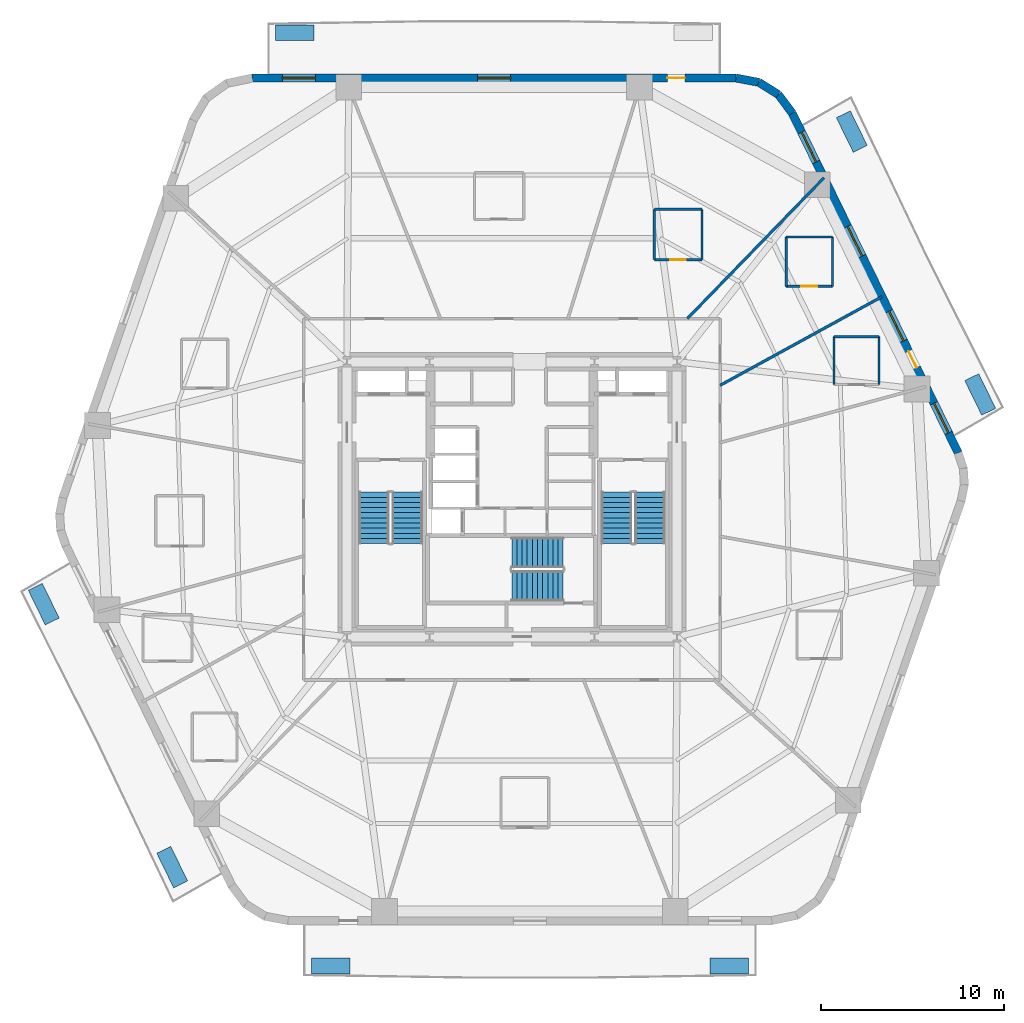
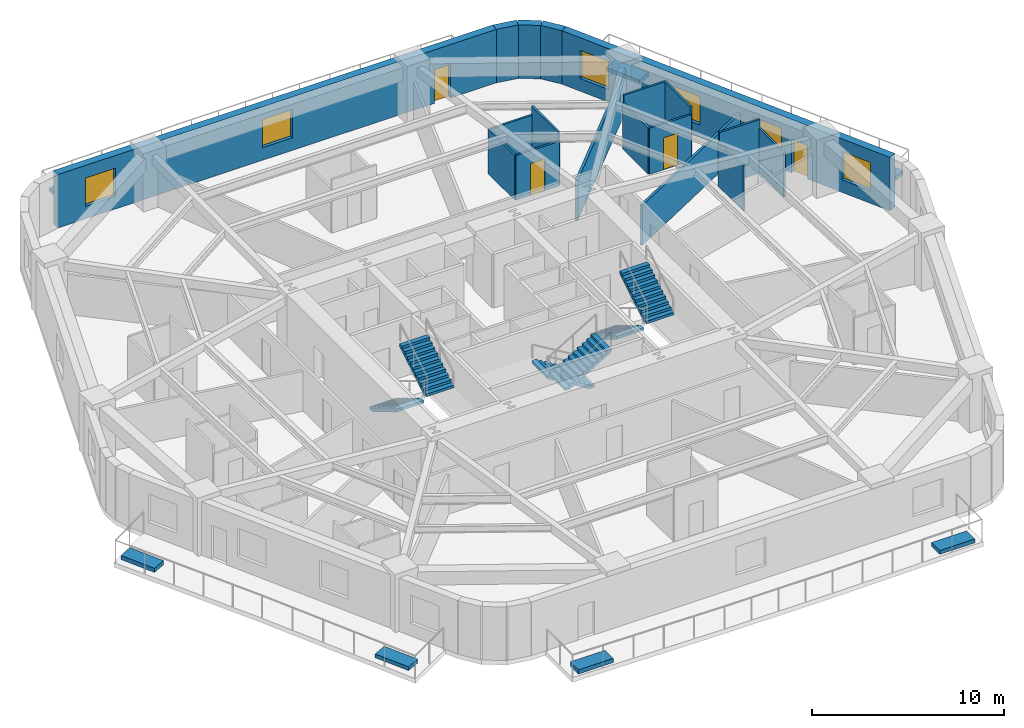
# One storey, part 6 of 10: 18 walls, 7 discrete accessories, 6 stair flights, 6 windows, 4 doors, 10 openings, 3 elements without a shape of their own.
"""IFC4 building model written with IfcOpenShell, lengths in metres."""

from ifc_helpers import new_model, si_unit, direction, frame, frame_2d, origin, origin_2d, place, context, subcontext, project, spatial, polyline, rectangle, outline, extrude, material, layer, layer_set, type_object, element, fill, aggregate, save


model = new_model("IFC4")

# Units and contexts
model_context = context("Model", 3, precision=1e-05, world=origin(), true_north=direction((0.0, 1.0)))
body_context = subcontext(model_context, "Body", "Model", "MODEL_VIEW")
ifc_project = project(units=[si_unit("LENGTHUNIT", "METRE"), si_unit("AREAUNIT", "SQUARE_METRE"), si_unit("VOLUMEUNIT", "CUBIC_METRE"), si_unit("PLANEANGLEUNIT", "RADIAN"), si_unit("MASSUNIT", "GRAM", prefix="KILO")], contexts=[model_context])

# Site, building, storey
site_placement = place(None, origin())
site = spatial("IfcSite", under=ifc_project, at=site_placement, CompositionType="ELEMENT")
building_placement = place(site_placement, origin())
building = spatial("IfcBuilding", under=site, at=building_placement, Name="Kilnhurst Terrace Hotel", CompositionType="ELEMENT")
storey_placement = place(building_placement, frame((0.0, 0.0, 56.39990234375)))
storey = spatial("IfcBuildingStorey", under=building, at=storey_placement, Name="L12", CompositionType="ELEMENT", Elevation=56.39990234375)

# Walls
ifc_material_1 = material(Name="Precast concrete C40/50", Category="concrete")
ifc_layer_1 = layer(ifc_material_1, 0.449951171875, Name="Precast concrete C40/50")
ifc_layer_set_1 = layer_set([ifc_layer_1], Name="Precast concrete C40/50")
wall_type_1 = type_object("IfcWallType", Name="WL-BRK-450", PredefinedType="SOLIDWALL", material=ifc_layer_set_1)
wall_1_placement = place(storey_placement, frame((15.28369140625, 21.0625, 0.0), z_axis=(0.0, 0.0, 1.0), x_axis=(-0.597595366449, 0.801797841104, 0.0)))
element("IfcWall", 1, at=wall_1_placement, inside=storey, type_object=wall_type_1, Name="L12 Rounded Corner Brick Wall C4.1", PredefinedType="SOLIDWALL", context=body_context, shape_type="SweptSolid", body=[
    extrude(rectangle(XDim=1.2685546875, YDim=0.449951171875, at=frame_2d((0.63427734375, 0.0))), origin(), (0.0, 0.0, 1.0), 3.400146484375),
])
wall_2_placement = place(storey_placement, frame((14.525634765625, 22.07958984375, 0.0), z_axis=(0.0, 0.0, 1.0), x_axis=(-0.848185203596, 0.529699783275, 0.0)))
element("IfcWall", 2, at=wall_2_placement, inside=storey, type_object=wall_type_1, Name="L12 Rounded Corner Brick Wall C4.2", PredefinedType="SOLIDWALL", context=body_context, shape_type="SweptSolid", body=[
    extrude(rectangle(XDim=1.247314453125, YDim=0.449951171875, at=frame_2d((0.62353515625, 0.0))), origin(), (0.0, 0.0, 1.0), 3.400146484375),
])
wall_3_placement = place(storey_placement, frame((13.4677734375, 22.740234375, 0.0), z_axis=(0.0, 0.0, 1.0), x_axis=(-0.982717174228, 0.185113358451, 0.0)))
element("IfcWall", 3, at=wall_3_placement, inside=storey, type_object=wall_type_1, Name="L12 Rounded Corner Brick Wall C4.3", PredefinedType="SOLIDWALL", context=body_context, shape_type="SweptSolid", body=[
    extrude(rectangle(XDim=1.268798828125, YDim=0.449951171875, at=frame_2d((0.63427734375, 0.0))), origin(), (0.0, 0.0, 1.0), 3.400146484375),
])

# Wall, openings, door, windows
wall_4_placement = place(storey_placement, frame((24.335693359375, 2.532470703125, 0.0), z_axis=(0.0, 0.0, 1.0), x_axis=(-0.438931326393, 0.898520612291, 0.0)))
wall_4 = element("IfcWall", 4, at=wall_4_placement, inside=storey, type_object=wall_type_1, Name="L12 Exterior Brick Facade Wall F3", PredefinedType="SOLIDWALL", context=body_context, shape_type="SweptSolid", body=[
    extrude(rectangle(XDim=20.622802734375, YDim=0.449951171875, at=frame_2d((10.3115234375, 0.0))), origin(), (0.0, 0.0, 1.0), 3.400146484375),
])
opening_1_placement = place(wall_4_placement, frame((5.1708984375, 0.0, 0.0)))
opening_1 = element("IfcOpeningElement", 5, at=opening_1_placement, cuts=wall_4, Name="Opening BD-1000", PredefinedType="OPENING", context=body_context, shape_type="SweptSolid", body=[
    extrude(rectangle(XDim=1.0, YDim=2.14990234375, at=frame_2d((0.5, 1.074951171875))), frame((0.0, 0.23486328125, 0.0), z_axis=(0.0, -1.0, 0.0), x_axis=(1.0, 0.0, 0.0)), (0.0, 0.0, 1.0), 0.469970703125),
])
opening_2_placement = place(wall_4_placement, frame((6.800048828125, 0.0, 0.800048828125)))
opening_2 = element("IfcOpeningElement", 6, at=opening_2_placement, cuts=wall_4, Name="Opening W-01", PredefinedType="OPENING", context=body_context, shape_type="SweptSolid", body=[
    extrude(rectangle(XDim=1.800048828125, YDim=1.800048828125, at=frame_2d((0.89990234375, 0.89990234375))), frame((0.0, 0.23486328125, 0.0), z_axis=(0.0, -1.0, 0.0), x_axis=(1.0, 0.0, 0.0)), (0.0, 0.0, 1.0), 0.469970703125),
])
opening_3_placement = place(wall_4_placement, frame((11.94189453125, 0.0, 0.800048828125)))
opening_3 = element("IfcOpeningElement", 7, at=opening_3_placement, cuts=wall_4, Name="Opening W-01", PredefinedType="OPENING", context=body_context, shape_type="SweptSolid", body=[
    extrude(rectangle(XDim=1.800048828125, YDim=1.800048828125, at=frame_2d((0.89990234375, 0.89990234375))), frame((0.0, 0.23486328125, 0.0), z_axis=(0.0, -1.0, 0.0), x_axis=(1.0, 0.0, 0.0)), (0.0, 0.0, 1.0), 0.469970703125),
])
opening_4_placement = place(wall_4_placement, frame((17.659912109375, 0.0, 0.800048828125)))
opening_4 = element("IfcOpeningElement", 8, at=opening_4_placement, cuts=wall_4, Name="Opening W-01", PredefinedType="OPENING", context=body_context, shape_type="SweptSolid", body=[
    extrude(rectangle(XDim=1.800048828125, YDim=1.800048828125, at=frame_2d((0.89990234375, 0.89990234375))), frame((0.0, 0.23486328125, 0.0), z_axis=(0.0, -1.0, 0.0), x_axis=(1.0, 0.0, 0.0)), (0.0, 0.0, 1.0), 0.469970703125),
])
opening_5_placement = place(wall_4_placement, frame((1.214111328125, 0.0, 0.800048828125)))
opening_5 = element("IfcOpeningElement", 9, at=opening_5_placement, cuts=wall_4, Name="Opening W-01", PredefinedType="OPENING", context=body_context, shape_type="SweptSolid", body=[
    extrude(rectangle(XDim=1.800048828125, YDim=1.800048828125, at=frame_2d((0.89990234375, 0.89990234375))), frame((0.0, 0.23486328125, 0.0), z_axis=(0.0, -1.0, 0.0), x_axis=(1.0, 0.0, 0.0)), (0.0, 0.0, 1.0), 0.469970703125),
])
ifc_material_2 = material(Name="Thermally Broken Bronze Aluminium Alloy 6063-T6 and Laminated Glass", Category="aluminium")
door_type_1 = type_object("IfcDoorType", Name="DR-EXT-BAL-1000", OperationType="NOTDEFINED", PredefinedType="DOOR", material=ifc_material_2)
door_1_placement = place(opening_1_placement, origin())
door_1 = element("IfcDoor", 10, at=door_1_placement, inside=storey, type_object=door_type_1, Name="L12 Planted Balcony Door BAL-L1A", OperationType="SINGLE_SWING_LEFT", OverallHeight=2.14990234375, OverallWidth=1.0, PredefinedType="DOOR", context=body_context, shape_type="SweptSolid", body=[
    extrude(rectangle(XDim=1.0, YDim=2.14990234375, at=frame_2d((0.5, 1.074951171875))), frame((0.0, 0.02490234375, 0.0), z_axis=(0.0, -1.0, 0.0), x_axis=(1.0, 0.0, 0.0)), (0.0, 0.0, 1.0), 0.050048828125),
])
fill(opening_1, door_1)
ifc_material_3 = material(Name="Thermally Broken Bronze Aluminium Alloy 6063-T6 and Low-E Glass", Category="aluminium")
window_type = type_object("IfcWindowType", Name="WIN-1800X1800", PartitioningType="SINGLE_PANEL", PredefinedType="WINDOW", material=ifc_material_3)
window_1_placement = place(opening_2_placement, origin())
window_1 = element("IfcWindow", 11, at=window_1_placement, inside=storey, type_object=window_type, Name="L12 Deep-Set Masonry Window F3.1", OverallHeight=1.800048828125, OverallWidth=1.800048828125, PartitioningType="SINGLE_PANEL", PredefinedType="WINDOW", context=body_context, shape_type="SweptSolid", body=[
    extrude(rectangle(XDim=1.800048828125, YDim=1.800048828125, at=frame_2d((0.89990234375, 0.89990234375))), frame((0.0, 0.030029296875, 0.0), z_axis=(0.0, -1.0, 0.0), x_axis=(1.0, 0.0, 0.0)), (0.0, 0.0, 1.0), 0.06005859375),
])
fill(opening_2, window_1)
window_2_placement = place(opening_3_placement, origin())
window_2 = element("IfcWindow", 12, at=window_2_placement, inside=storey, type_object=window_type, Name="L12 Deep-Set Masonry Window F3.2", OverallHeight=1.800048828125, OverallWidth=1.800048828125, PartitioningType="SINGLE_PANEL", PredefinedType="WINDOW", context=body_context, shape_type="SweptSolid", body=[
    extrude(rectangle(XDim=1.800048828125, YDim=1.800048828125, at=frame_2d((0.89990234375, 0.89990234375))), frame((0.0, 0.030029296875, 0.0), z_axis=(0.0, -1.0, 0.0), x_axis=(1.0, 0.0, 0.0)), (0.0, 0.0, 1.0), 0.06005859375),
])
fill(opening_3, window_2)
window_3_placement = place(opening_4_placement, origin())
window_3 = element("IfcWindow", 13, at=window_3_placement, inside=storey, type_object=window_type, Name="L12 Deep-Set Masonry Window F3.3", OverallHeight=1.800048828125, OverallWidth=1.800048828125, PartitioningType="SINGLE_PANEL", PredefinedType="WINDOW", context=body_context, shape_type="SweptSolid", body=[
    extrude(rectangle(XDim=1.800048828125, YDim=1.800048828125, at=frame_2d((0.89990234375, 0.89990234375))), frame((0.0, 0.030029296875, 0.0), z_axis=(0.0, -1.0, 0.0), x_axis=(1.0, 0.0, 0.0)), (0.0, 0.0, 1.0), 0.06005859375),
])
fill(opening_4, window_3)
window_4_placement = place(opening_5_placement, origin())
window_4 = element("IfcWindow", 14, at=window_4_placement, inside=storey, type_object=window_type, Name="L12 Deep-Set Masonry Window F3.4", OverallHeight=1.800048828125, OverallWidth=1.800048828125, PartitioningType="SINGLE_PANEL", PredefinedType="WINDOW", context=body_context, shape_type="SweptSolid", body=[
    extrude(rectangle(XDim=1.800048828125, YDim=1.800048828125, at=frame_2d((0.89990234375, 0.89990234375))), frame((0.0, 0.030029296875, 0.0), z_axis=(0.0, -1.0, 0.0), x_axis=(1.0, 0.0, 0.0)), (0.0, 0.0, 1.0), 0.06005859375),
])
fill(opening_5, window_4)

wall_5_placement = place(storey_placement, frame((12.220947265625, 22.97509765625, 0.0), z_axis=(0.0, 0.0, 1.0), x_axis=(-1.0, 0.0, 0.0)))
wall_5 = element("IfcWall", 15, at=wall_5_placement, inside=storey, type_object=wall_type_1, Name="L12 Exterior Brick Facade Wall F4", PredefinedType="SOLIDWALL", context=body_context, shape_type="SweptSolid", body=[
    extrude(rectangle(XDim=26.38916015625, YDim=0.449951171875, at=frame_2d((13.194580078125, 0.0))), origin(), (0.0, 0.0, 1.0), 3.400146484375),
])
opening_6_placement = place(wall_5_placement, frame((2.799072265625, 0.0, 0.0)))
opening_6 = element("IfcOpeningElement", 16, at=opening_6_placement, cuts=wall_5, Name="Opening BD-950", PredefinedType="OPENING", context=body_context, shape_type="SweptSolid", body=[
    extrude(rectangle(XDim=0.949951171875, YDim=2.14990234375, at=frame_2d((0.47509765625, 1.074951171875))), frame((0.0, 0.23486328125, 0.0), z_axis=(0.0, -1.0, 0.0), x_axis=(1.0, 0.0, 0.0)), (0.0, 0.0, 1.0), 0.469970703125),
])
opening_7_placement = place(wall_5_placement, frame((12.2958984375, 0.0, 0.800048828125)))
opening_7 = element("IfcOpeningElement", 17, at=opening_7_placement, cuts=wall_5, Name="Opening W-01", PredefinedType="OPENING", context=body_context, shape_type="SweptSolid", body=[
    extrude(rectangle(XDim=1.800048828125, YDim=1.800048828125, at=frame_2d((0.89990234375, 0.89990234375))), frame((0.0, 0.23486328125, 0.0), z_axis=(0.0, -1.0, 0.0), x_axis=(1.0, 0.0, 0.0)), (0.0, 0.0, 1.0), 0.469970703125),
])
opening_8_placement = place(wall_5_placement, frame((22.93798828125, 0.0, 0.800048828125)))
opening_8 = element("IfcOpeningElement", 18, at=opening_8_placement, cuts=wall_5, Name="Opening W-01", PredefinedType="OPENING", context=body_context, shape_type="SweptSolid", body=[
    extrude(rectangle(XDim=1.800048828125, YDim=1.800048828125, at=frame_2d((0.89990234375, 0.89990234375))), frame((0.0, 0.23486328125, 0.0), z_axis=(0.0, -1.0, 0.0), x_axis=(1.0, 0.0, 0.0)), (0.0, 0.0, 1.0), 0.469970703125),
])
door_type_2 = type_object("IfcDoorType", Name="DR-EXT-BAL-950", OperationType="NOTDEFINED", PredefinedType="DOOR", material=ifc_material_2)
door_2_placement = place(opening_6_placement, origin())
door_2 = element("IfcDoor", 19, at=door_2_placement, inside=storey, type_object=door_type_2, Name="L12 Planted Balcony Door BAL-L1B", OperationType="SINGLE_SWING_RIGHT", OverallHeight=2.14990234375, OverallWidth=0.949951171875, PredefinedType="DOOR", context=body_context, shape_type="SweptSolid", body=[
    extrude(rectangle(XDim=0.949951171875, YDim=2.14990234375, at=frame_2d((0.47509765625, 1.074951171875))), frame((0.0, 0.02490234375, 0.0), z_axis=(0.0, -1.0, 0.0), x_axis=(1.0, 0.0, 0.0)), (0.0, 0.0, 1.0), 0.050048828125),
])
fill(opening_6, door_2)
window_5_placement = place(opening_7_placement, origin())
window_5 = element("IfcWindow", 20, at=window_5_placement, inside=storey, type_object=window_type, Name="L12 Deep-Set Masonry Window F4.1", OverallHeight=1.800048828125, OverallWidth=1.800048828125, PartitioningType="SINGLE_PANEL", PredefinedType="WINDOW", context=body_context, shape_type="SweptSolid", body=[
    extrude(rectangle(XDim=1.800048828125, YDim=1.800048828125, at=frame_2d((0.89990234375, 0.89990234375))), frame((0.0, 0.030029296875, 0.0), z_axis=(0.0, -1.0, 0.0), x_axis=(1.0, 0.0, 0.0)), (0.0, 0.0, 1.0), 0.06005859375),
])
fill(opening_7, window_5)
window_6_placement = place(opening_8_placement, origin())
window_6 = element("IfcWindow", 21, at=window_6_placement, inside=storey, type_object=window_type, Name="L12 Deep-Set Masonry Window F4.2", OverallHeight=1.800048828125, OverallWidth=1.800048828125, PartitioningType="SINGLE_PANEL", PredefinedType="WINDOW", context=body_context, shape_type="SweptSolid", body=[
    extrude(rectangle(XDim=1.800048828125, YDim=1.800048828125, at=frame_2d((0.89990234375, 0.89990234375))), frame((0.0, 0.030029296875, 0.0), z_axis=(0.0, -1.0, 0.0), x_axis=(1.0, 0.0, 0.0)), (0.0, 0.0, 1.0), 0.06005859375),
])
fill(opening_8, window_6)

# Walls
ifc_material_4 = material(Name="STC-58 Acoustic Twin-Frame Guestroom Demising Partition")
ifc_layer_2 = layer(ifc_material_4, 0.14990234375, Name="STC-58 Acoustic Twin-Frame Guestroom Demising Partition")
ifc_layer_set_2 = layer_set([ifc_layer_2], Name="STC-58 Acoustic Twin-Frame Guestroom Demising Partition")
wall_type_2 = type_object("IfcWallType", Name="WL-DEM-150", PredefinedType="PARTITIONING", material=ifc_layer_set_2)
wall_6_placement = place(storey_placement, frame((11.35009765625, 6.216552734375, 0.0), z_axis=(0.0, 0.0, 1.0), x_axis=(0.877047587135, 0.480403507378, 0.0)))
element("IfcWall", 22, at=wall_6_placement, inside=storey, type_object=wall_type_2, Name="L12 Interior Wall WL-L12-DEM-MID01-02-1", PredefinedType="PARTITIONING", context=body_context, shape_type="SweptSolid", body=[
    extrude(rectangle(XDim=10.061767578125, YDim=0.14990234375, at=frame_2d((5.03076171875, 0.0))), origin(), (0.0, 0.0, 1.0), 2.5400390625),
])
wall_7_placement = place(storey_placement, frame((9.5576171875, 9.85009765625, 0.0), z_axis=(0.0, 0.0, 1.0), x_axis=(0.69638346089, 0.717669893056, 0.0)))
element("IfcWall", 23, at=wall_7_placement, inside=storey, type_object=wall_type_2, Name="L12 Interior Wall WL-L12-DEM-COL02-03-1", PredefinedType="PARTITIONING", context=body_context, shape_type="SweptSolid", body=[
    extrude(rectangle(XDim=10.700927734375, YDim=0.14990234375, at=frame_2d((5.3505859375, 0.0))), origin(), (0.0, 0.0, 1.0), 2.5400390625),
])
ifc_material_5 = material(Name="120 mm Moisture-Resistant Tile-Backed Bathroom Partition")
ifc_layer_3 = layer(ifc_material_5, 0.1201171875, Name="120 mm Moisture-Resistant Tile-Backed Bathroom Partition")
ifc_layer_set_3 = layer_set([ifc_layer_3], Name="120 mm Moisture-Resistant Tile-Backed Bathroom Partition")
wall_type_3 = type_object("IfcWallType", Name="WL-PART-120", PredefinedType="PARTITIONING", material=ifc_layer_set_3)
wall_8_placement = place(storey_placement, frame((20.007080078125, 6.258056640625, 0.0), z_axis=(0.0, 0.0, 1.0), x_axis=(0.0, 1.0, 0.0)))
element("IfcWall", 24, at=wall_8_placement, inside=storey, type_object=wall_type_3, Name="L12 Interior Wall WL-L12-BTH-01-2", PredefinedType="PARTITIONING", context=body_context, shape_type="SweptSolid", body=[
    extrude(rectangle(XDim=2.60986328125, YDim=0.1201171875, at=frame_2d((1.304931640625, 0.0))), origin(), (0.0, 0.0, 1.0), 2.840087890625),
])
wall_9_placement = place(storey_placement, frame((20.007080078125, 8.867919921875, 0.0), z_axis=(0.0, 0.0, 1.0), x_axis=(-1.0, 0.0, 0.0)))
element("IfcWall", 25, at=wall_9_placement, inside=storey, type_object=wall_type_3, Name="L12 Interior Wall WL-L12-BTH-01-3", PredefinedType="PARTITIONING", context=body_context, shape_type="SweptSolid", body=[
    extrude(rectangle(XDim=2.440185546875, YDim=0.1201171875, at=frame_2d((1.22021484375, 0.0))), origin(), (0.0, 0.0, 1.0), 3.400146484375),
])
wall_10_placement = place(storey_placement, frame((17.56689453125, 8.867919921875, 0.0), z_axis=(0.0, 0.0, 1.0), x_axis=(0.0, -1.0, 0.0)))
element("IfcWall", 26, at=wall_10_placement, inside=storey, type_object=wall_type_3, Name="L12 Interior Wall WL-L12-BTH-01-4", PredefinedType="PARTITIONING", context=body_context, shape_type="SweptSolid", body=[
    extrude(rectangle(XDim=2.60986328125, YDim=0.1201171875, at=frame_2d((1.304931640625, 0.0))), origin(), (0.0, 0.0, 1.0), 2.840087890625),
])

# Wall, opening, door
wall_11_placement = place(storey_placement, frame((14.951904296875, 11.617919921875, 0.0), z_axis=(0.0, 0.0, 1.0), x_axis=(1.0, 0.0, 0.0)))
wall_11 = element("IfcWall", 27, at=wall_11_placement, inside=storey, type_object=wall_type_3, Name="L12 Interior Wall WL-L12-BTH-02-1", PredefinedType="PARTITIONING", context=body_context, shape_type="SweptSolid", body=[
    extrude(rectangle(XDim=2.52001953125, YDim=0.1201171875, at=frame_2d((1.260009765625, 0.0))), origin(), (0.0, 0.0, 1.0), 2.926513671875),
])
opening_9_placement = place(wall_11_placement, frame((0.8349609375, 0.0, 0.0)))
opening_9 = element("IfcOpeningElement", 28, at=opening_9_placement, cuts=wall_11, Name="Opening D-08A", PredefinedType="OPENING", context=body_context, shape_type="SweptSolid", body=[
    extrude(rectangle(XDim=0.85009765625, YDim=2.030029296875, at=frame_2d((0.425048828125, 1.01513671875))), frame((0.0, 0.070068359375, 0.0), z_axis=(0.0, -1.0, 0.0), x_axis=(1.0, 0.0, 0.0)), (0.0, 0.0, 1.0), 0.14013671875),
])
ifc_material_6 = material(Name="Moisture-Resistant Lacquered En-suite Bathroom Door")
door_type_3 = type_object("IfcDoorType", Name="DR-INT-850", OperationType="NOTDEFINED", PredefinedType="DOOR", material=ifc_material_6)
door_3_placement = place(opening_9_placement, origin())
door_3 = element("IfcDoor", 29, at=door_3_placement, inside=storey, type_object=door_type_3, Name="L12 En-suite Bathroom Door 2", OperationType="SINGLE_SWING_LEFT", OverallHeight=2.030029296875, OverallWidth=0.85009765625, PredefinedType="DOOR", context=body_context, shape_type="SweptSolid", body=[
    extrude(rectangle(XDim=0.85009765625, YDim=2.030029296875, at=frame_2d((0.425048828125, 1.01513671875))), frame((0.0, 0.02490234375, 0.0), z_axis=(0.0, -1.0, 0.0), x_axis=(1.0, 0.0, 0.0)), (0.0, 0.0, 1.0), 0.050048828125),
])
fill(opening_9, door_3)

# Walls
wall_12_placement = place(storey_placement, frame((17.471923828125, 11.617919921875, 0.0), z_axis=(0.0, 0.0, 1.0), x_axis=(0.0, 1.0, 0.0)))
element("IfcWall", 30, at=wall_12_placement, inside=storey, type_object=wall_type_3, Name="L12 Interior Wall WL-L12-BTH-02-2", PredefinedType="PARTITIONING", context=body_context, shape_type="SweptSolid", body=[
    extrude(rectangle(XDim=2.68017578125, YDim=0.1201171875, at=frame_2d((1.340087890625, 0.0))), origin(), (0.0, 0.0, 1.0), 3.400146484375),
])
wall_13_placement = place(storey_placement, frame((17.471923828125, 14.298095703125, 0.0), z_axis=(0.0, 0.0, 1.0), x_axis=(-1.0, 0.0, 0.0)))
element("IfcWall", 31, at=wall_13_placement, inside=storey, type_object=wall_type_3, Name="L12 Interior Wall WL-L12-BTH-02-3", PredefinedType="PARTITIONING", context=body_context, shape_type="SweptSolid", body=[
    extrude(rectangle(XDim=2.52001953125, YDim=0.1201171875, at=frame_2d((1.260009765625, 0.0))), origin(), (0.0, 0.0, 1.0), 3.400146484375),
])
wall_14_placement = place(storey_placement, frame((14.951904296875, 14.298095703125, 0.0), z_axis=(0.0, 0.0, 1.0), x_axis=(0.0, -1.0, 0.0)))
element("IfcWall", 32, at=wall_14_placement, inside=storey, type_object=wall_type_3, Name="L12 Interior Wall WL-L12-BTH-02-4", PredefinedType="PARTITIONING", context=body_context, shape_type="SweptSolid", body=[
    extrude(rectangle(XDim=2.68017578125, YDim=0.1201171875, at=frame_2d((1.340087890625, 0.0))), origin(), (0.0, 0.0, 1.0), 2.926513671875),
])

# Wall, opening, door
wall_15_placement = place(storey_placement, frame((7.758056640625, 13.06591796875, 0.0), z_axis=(0.0, 0.0, 1.0), x_axis=(1.0, 0.0, 0.0)))
wall_15 = element("IfcWall", 33, at=wall_15_placement, inside=storey, type_object=wall_type_3, Name="L12 Interior Wall WL-L12-BTH-03-1", PredefinedType="PARTITIONING", context=body_context, shape_type="SweptSolid", body=[
    extrude(rectangle(XDim=2.599853515625, YDim=0.1201171875, at=frame_2d((1.2998046875, 0.0))), origin(), (0.0, 0.0, 1.0), 2.840087890625),
])
opening_10_placement = place(wall_15_placement, frame((0.875, 0.0, 0.0)))
opening_10 = element("IfcOpeningElement", 34, at=opening_10_placement, cuts=wall_15, Name="Opening D-08A", PredefinedType="OPENING", context=body_context, shape_type="SweptSolid", body=[
    extrude(rectangle(XDim=0.85009765625, YDim=2.030029296875, at=frame_2d((0.425048828125, 1.01513671875))), frame((0.0, 0.070068359375, 0.0), z_axis=(0.0, -1.0, 0.0), x_axis=(1.0, 0.0, 0.0)), (0.0, 0.0, 1.0), 0.14013671875),
])
door_4_placement = place(opening_10_placement, origin())
door_4 = element("IfcDoor", 35, at=door_4_placement, inside=storey, type_object=door_type_3, Name="L12 En-suite Bathroom Door 3", OperationType="SINGLE_SWING_RIGHT", OverallHeight=2.030029296875, OverallWidth=0.85009765625, PredefinedType="DOOR", context=body_context, shape_type="SweptSolid", body=[
    extrude(rectangle(XDim=0.85009765625, YDim=2.030029296875, at=frame_2d((0.425048828125, 1.01513671875))), frame((0.0, 0.02490234375, 0.0), z_axis=(0.0, -1.0, 0.0), x_axis=(1.0, 0.0, 0.0)), (0.0, 0.0, 1.0), 0.050048828125),
])
fill(opening_10, door_4)

# Walls
wall_16_placement = place(storey_placement, frame((10.35791015625, 13.06591796875, 0.0), z_axis=(0.0, 0.0, 1.0), x_axis=(0.0, 1.0, 0.0)))
element("IfcWall", 36, at=wall_16_placement, inside=storey, type_object=wall_type_3, Name="L12 Interior Wall WL-L12-BTH-03-2", PredefinedType="PARTITIONING", context=body_context, shape_type="SweptSolid", body=[
    extrude(rectangle(XDim=2.75, YDim=0.1201171875, at=frame_2d((1.375, 0.0))), origin(), (0.0, 0.0, 1.0), 3.400146484375),
])
wall_17_placement = place(storey_placement, frame((10.35791015625, 15.81591796875, 0.0), z_axis=(0.0, 0.0, 1.0), x_axis=(-1.0, 0.0, 0.0)))
element("IfcWall", 37, at=wall_17_placement, inside=storey, type_object=wall_type_3, Name="L12 Interior Wall WL-L12-BTH-03-3", PredefinedType="PARTITIONING", context=body_context, shape_type="SweptSolid", body=[
    extrude(rectangle(XDim=2.599853515625, YDim=0.1201171875, at=frame_2d((1.2998046875, 0.0))), origin(), (0.0, 0.0, 1.0), 2.840087890625),
])
wall_18_placement = place(storey_placement, frame((7.758056640625, 15.81591796875, 0.0), z_axis=(0.0, 0.0, 1.0), x_axis=(0.0, -1.0, 0.0)))
element("IfcWall", 38, at=wall_18_placement, inside=storey, type_object=wall_type_3, Name="L12 Interior Wall WL-L12-BTH-03-4", PredefinedType="PARTITIONING", context=body_context, shape_type="SweptSolid", body=[
    extrude(rectangle(XDim=2.75, YDim=0.1201171875, at=frame_2d((1.375, 0.0))), origin(), (0.0, 0.0, 1.0), 2.840087890625),
])

# Stair, stair flights
ifc_material_7 = material(Name="Concrete C50/60", Category="concrete")
stair_type = type_object("IfcStairType", Name="STR-CORE-1660", PredefinedType="HALF_TURN_STAIR", material=ifc_material_7)
stair_1_placement = place(storey_placement, origin())
stair_1 = element("IfcStair", 39, at=stair_1_placement, inside=storey, type_object=stair_type, Name="L12 ST-1", PredefinedType="HALF_TURN_STAIR")
stair_flight_type = type_object("IfcStairFlightType", Name="FLT-RC-1660", PredefinedType="STRAIGHT", material=ifc_material_7)
stair_flight_1_placement = place(storey_placement, frame((-7.52001953125, 0.389892578125, 0.0), z_axis=(0.0, 0.0, 1.0), x_axis=(0.0, -1.0, 0.0)))
stair_flight_1 = element("IfcStairFlight", 40, at=stair_flight_1_placement, type_object=stair_flight_type, Name="ST-1 flight 1", NumberOfRisers=11, NumberOfTreads=10, PredefinedType="STRAIGHT", RiserHeight=0.168181818, TreadLength=0.28, context=body_context, shape_type="SweptSolid", body=[
    extrude(outline(polyline([(0.0, 0.0), (0.0, 0.168212890625), (0.280029296875, 0.168212890625), (0.280029296875, 0.33642578125), (0.56005859375, 0.33642578125), (0.56005859375, 0.504638671875), (0.840087890625, 0.504638671875), (0.840087890625, 0.672607421875), (1.1201171875, 0.672607421875), (1.1201171875, 0.8408203125), (1.39990234375, 0.8408203125), (1.39990234375, 1.009033203125), (1.679931640625, 1.009033203125), (1.679931640625, 1.17724609375), (1.9599609375, 1.17724609375), (1.9599609375, 1.345458984375), (2.239990234375, 1.345458984375), (2.239990234375, 1.513671875), (2.52001953125, 1.513671875), (2.52001953125, 1.681884765625), (2.800048828125, 1.681884765625), (2.800048828125, 1.85009765625), (2.800048828125, 1.5068359375), (0.291015625, 0.0), (0.0, 0.0)])), frame((0.0, 0.830078125, 0.0), z_axis=(0.0, -1.0, 0.0), x_axis=(1.0, 0.0, 0.0)), (0.0, 0.0, 1.0), 1.659912109375),
])
stair_flight_2_placement = place(storey_placement, frame((-5.7099609375, -2.409912109375, 1.85009765625), z_axis=(0.0, 0.0, 1.0), x_axis=(0.0, 1.0, 0.0)))
stair_flight_2 = element("IfcStairFlight", 41, at=stair_flight_2_placement, type_object=stair_flight_type, Name="ST-1 flight 2", NumberOfRisers=11, NumberOfTreads=10, PredefinedType="STRAIGHT", RiserHeight=0.168181818, TreadLength=0.28, context=body_context, shape_type="SweptSolid", body=[
    extrude(outline(polyline([(0.0, 0.0), (0.0, 0.168212890625), (0.280029296875, 0.168212890625), (0.280029296875, 0.33642578125), (0.56005859375, 0.33642578125), (0.56005859375, 0.504638671875), (0.840087890625, 0.504638671875), (0.840087890625, 0.672607421875), (1.1201171875, 0.672607421875), (1.1201171875, 0.8408203125), (1.39990234375, 0.8408203125), (1.39990234375, 1.009033203125), (1.679931640625, 1.009033203125), (1.679931640625, 1.17724609375), (1.9599609375, 1.17724609375), (1.9599609375, 1.345458984375), (2.239990234375, 1.345458984375), (2.239990234375, 1.513671875), (2.52001953125, 1.513671875), (2.52001953125, 1.681884765625), (2.800048828125, 1.681884765625), (2.800048828125, 1.85009765625), (2.800048828125, 1.5068359375), (0.291015625, 0.0), (0.0, 0.0)])), frame((0.0, 0.830078125, 0.0), z_axis=(0.0, -1.0, 0.0), x_axis=(1.0, 0.0, 0.0)), (0.0, 0.0, 1.0), 1.659912109375),
])
aggregate(stair_1, [stair_flight_1, stair_flight_2])

stair_2_placement = place(storey_placement, origin())
stair_2 = element("IfcStair", 42, at=stair_2_placement, inside=storey, type_object=stair_type, Name="L12 ST-2", PredefinedType="HALF_TURN_STAIR")
stair_flight_3_placement = place(storey_placement, frame((5.7099609375, 0.389892578125, 0.0), z_axis=(0.0, 0.0, 1.0), x_axis=(0.0, -1.0, 0.0)))
stair_flight_3 = element("IfcStairFlight", 43, at=stair_flight_3_placement, type_object=stair_flight_type, Name="ST-2 flight 1", NumberOfRisers=11, NumberOfTreads=10, PredefinedType="STRAIGHT", RiserHeight=0.168181818, TreadLength=0.28, context=body_context, shape_type="SweptSolid", body=[
    extrude(outline(polyline([(0.0, 0.0), (0.0, 0.168212890625), (0.280029296875, 0.168212890625), (0.280029296875, 0.33642578125), (0.56005859375, 0.33642578125), (0.56005859375, 0.504638671875), (0.840087890625, 0.504638671875), (0.840087890625, 0.672607421875), (1.1201171875, 0.672607421875), (1.1201171875, 0.8408203125), (1.39990234375, 0.8408203125), (1.39990234375, 1.009033203125), (1.679931640625, 1.009033203125), (1.679931640625, 1.17724609375), (1.9599609375, 1.17724609375), (1.9599609375, 1.345458984375), (2.239990234375, 1.345458984375), (2.239990234375, 1.513671875), (2.52001953125, 1.513671875), (2.52001953125, 1.681884765625), (2.800048828125, 1.681884765625), (2.800048828125, 1.85009765625), (2.800048828125, 1.5068359375), (0.291015625, 0.0), (0.0, 0.0)])), frame((0.0, 0.830078125, 0.0), z_axis=(0.0, -1.0, 0.0), x_axis=(1.0, 0.0, 0.0)), (0.0, 0.0, 1.0), 1.659912109375),
])
stair_flight_4_placement = place(storey_placement, frame((7.52001953125, -2.409912109375, 1.85009765625), z_axis=(0.0, 0.0, 1.0), x_axis=(0.0, 1.0, 0.0)))
stair_flight_4 = element("IfcStairFlight", 44, at=stair_flight_4_placement, type_object=stair_flight_type, Name="ST-2 flight 2", NumberOfRisers=11, NumberOfTreads=10, PredefinedType="STRAIGHT", RiserHeight=0.168181818, TreadLength=0.28, context=body_context, shape_type="SweptSolid", body=[
    extrude(outline(polyline([(0.0, 0.0), (0.0, 0.168212890625), (0.280029296875, 0.168212890625), (0.280029296875, 0.33642578125), (0.56005859375, 0.33642578125), (0.56005859375, 0.504638671875), (0.840087890625, 0.504638671875), (0.840087890625, 0.672607421875), (1.1201171875, 0.672607421875), (1.1201171875, 0.8408203125), (1.39990234375, 0.8408203125), (1.39990234375, 1.009033203125), (1.679931640625, 1.009033203125), (1.679931640625, 1.17724609375), (1.9599609375, 1.17724609375), (1.9599609375, 1.345458984375), (2.239990234375, 1.345458984375), (2.239990234375, 1.513671875), (2.52001953125, 1.513671875), (2.52001953125, 1.681884765625), (2.800048828125, 1.681884765625), (2.800048828125, 1.85009765625), (2.800048828125, 1.5068359375), (0.291015625, 0.0), (0.0, 0.0)])), frame((0.0, 0.830078125, 0.0), z_axis=(0.0, -1.0, 0.0), x_axis=(1.0, 0.0, 0.0)), (0.0, 0.0, 1.0), 1.659912109375),
])
aggregate(stair_2, [stair_flight_3, stair_flight_4])

stair_3_placement = place(storey_placement, origin())
stair_3 = element("IfcStair", 45, at=stair_3_placement, inside=storey, type_object=stair_type, Name="L12 ST-3", PredefinedType="HALF_TURN_STAIR")
stair_flight_5_placement = place(storey_placement, frame((2.7900390625, -2.909912109375, 0.0), z_axis=(0.0, 0.0, 1.0), x_axis=(-1.0, 0.0, 0.0)))
stair_flight_5 = element("IfcStairFlight", 46, at=stair_flight_5_placement, type_object=stair_flight_type, Name="ST-3 flight 1", NumberOfRisers=11, NumberOfTreads=10, PredefinedType="STRAIGHT", RiserHeight=0.168181818, TreadLength=0.28, context=body_context, shape_type="SweptSolid", body=[
    extrude(outline(polyline([(0.0, 0.0), (0.0, 0.168212890625), (0.280029296875, 0.168212890625), (0.280029296875, 0.33642578125), (0.56005859375, 0.33642578125), (0.56005859375, 0.504638671875), (0.840087890625, 0.504638671875), (0.840087890625, 0.672607421875), (1.1201171875, 0.672607421875), (1.1201171875, 0.8408203125), (1.39990234375, 0.8408203125), (1.39990234375, 1.009033203125), (1.679931640625, 1.009033203125), (1.679931640625, 1.17724609375), (1.9599609375, 1.17724609375), (1.9599609375, 1.345458984375), (2.239990234375, 1.345458984375), (2.239990234375, 1.513671875), (2.52001953125, 1.513671875), (2.52001953125, 1.681884765625), (2.800048828125, 1.681884765625), (2.800048828125, 1.85009765625), (2.800048828125, 1.5068359375), (0.291015625, 0.0), (0.0, 0.0)])), frame((0.0, 0.830078125, 0.0), z_axis=(0.0, -1.0, 0.0), x_axis=(1.0, 0.0, 0.0)), (0.0, 0.0, 1.0), 1.659912109375),
])
stair_flight_6_placement = place(storey_placement, frame((-0.010009765625, -4.719970703125, 1.85009765625), z_axis=(0.0, 0.0, 1.0), x_axis=(1.0, 0.0, 0.0)))
stair_flight_6 = element("IfcStairFlight", 47, at=stair_flight_6_placement, type_object=stair_flight_type, Name="ST-3 flight 2", NumberOfRisers=11, NumberOfTreads=10, PredefinedType="STRAIGHT", RiserHeight=0.168181818, TreadLength=0.28, context=body_context, shape_type="SweptSolid", body=[
    extrude(outline(polyline([(0.0, 0.0), (0.0, 0.168212890625), (0.280029296875, 0.168212890625), (0.280029296875, 0.33642578125), (0.56005859375, 0.33642578125), (0.56005859375, 0.504638671875), (0.840087890625, 0.504638671875), (0.840087890625, 0.672607421875), (1.1201171875, 0.672607421875), (1.1201171875, 0.8408203125), (1.39990234375, 0.8408203125), (1.39990234375, 1.009033203125), (1.679931640625, 1.009033203125), (1.679931640625, 1.17724609375), (1.9599609375, 1.17724609375), (1.9599609375, 1.345458984375), (2.239990234375, 1.345458984375), (2.239990234375, 1.513671875), (2.52001953125, 1.513671875), (2.52001953125, 1.681884765625), (2.800048828125, 1.681884765625), (2.800048828125, 1.85009765625), (2.800048828125, 1.5068359375), (0.291015625, 0.0), (0.0, 0.0)])), frame((0.0, 0.830078125, 0.0), z_axis=(0.0, -1.0, 0.0), x_axis=(1.0, 0.0, 0.0)), (0.0, 0.0, 1.0), 1.659912109375),
])
aggregate(stair_3, [stair_flight_5, stair_flight_6])

# Discrete accessories
ifc_material_8 = material(Name="Precast Concrete C40/50 Shrub Planter", Category="concrete")
discrete_accessory_type_1 = type_object("IfcDiscreteAccessoryType", Name="PLN-SHRUB-240", PredefinedType="USERDEFINED", material=ifc_material_8)
for number, where, z_axis, x_axis, name in (
    (48, (18.52978515625, 20.05615234375, 0.0), (0.0, 0.0, 1.0), (-0.438935789176, 0.898518432188, 0.0), "L12 Structural Tree Planter Box PLANTER BAL-L1A.2"),
    (49, (-11.841552734375, 25.449951171875, 0.0), (0.0, 0.0, 1.0), (-1.0, 0.0, 0.0), "L12 Structural Tree Planter Box PLANTER BAL-L1B.2"),
    (50, (-18.52978515625, -20.05615234375, 0.0), (0.0, 0.0, 1.0), (0.438935789176, -0.898518432188, 0.0), "L12 Structural Tree Planter Box PLANTER BAL-L2A.2"),
    (51, (11.841552734375, -25.449951171875, 0.0), (0.0, 0.0, 1.0), (1.0, 0.0, 0.0), "L12 Structural Tree Planter Box PLANTER BAL-L2B.2"),
):
    element("IfcDiscreteAccessory", number, at=place(storey_placement, frame(where, z_axis=z_axis, x_axis=x_axis)), inside=storey, type_object=discrete_accessory_type_1, Name=name, ObjectType="PLANTER", PredefinedType="USERDEFINED", context=body_context, shape_type="SweptSolid", body=[
        extrude(rectangle(XDim=2.10009765625, YDim=0.85009765625, at=origin_2d()), origin(), (0.0, 0.0, 1.0), 0.239990234375),
    ])
ifc_material_9 = material(Name="Precast Concrete C40/50 Tree Planter", Category="concrete")
discrete_accessory_type_2 = type_object("IfcDiscreteAccessoryType", Name="PLN-TREE-260", PredefinedType="USERDEFINED", material=ifc_material_9)
for number, where, z_axis, x_axis, name in (
    (52, (25.534423828125, 5.717041015625, 0.0), (0.0, 0.0, 1.0), (-0.438935789176, 0.898518432188, 0.0), "L12 Structural Tree Planter Box PLANTER BAL-L1A.1"),
    (53, (-25.534423828125, -5.717041015625, 0.0), (0.0, 0.0, 1.0), (0.438935789176, -0.898518432188, 0.0), "L12 Structural Tree Planter Box PLANTER BAL-L2A.1"),
    (54, (-9.89208984375, -25.449951171875, 0.0), (0.0, 0.0, 1.0), (1.0, 0.0, 0.0), "L12 Structural Tree Planter Box PLANTER BAL-L2B.1"),
):
    element("IfcDiscreteAccessory", number, at=place(storey_placement, frame(where, z_axis=z_axis, x_axis=x_axis)), inside=storey, type_object=discrete_accessory_type_2, Name=name, ObjectType="PLANTER", PredefinedType="USERDEFINED", context=body_context, shape_type="SweptSolid", body=[
        extrude(rectangle(XDim=2.10009765625, YDim=0.85009765625, at=origin_2d()), origin(), (0.0, 0.0, 1.0), 0.260009765625),
    ])

save(model, "model.ifc")
